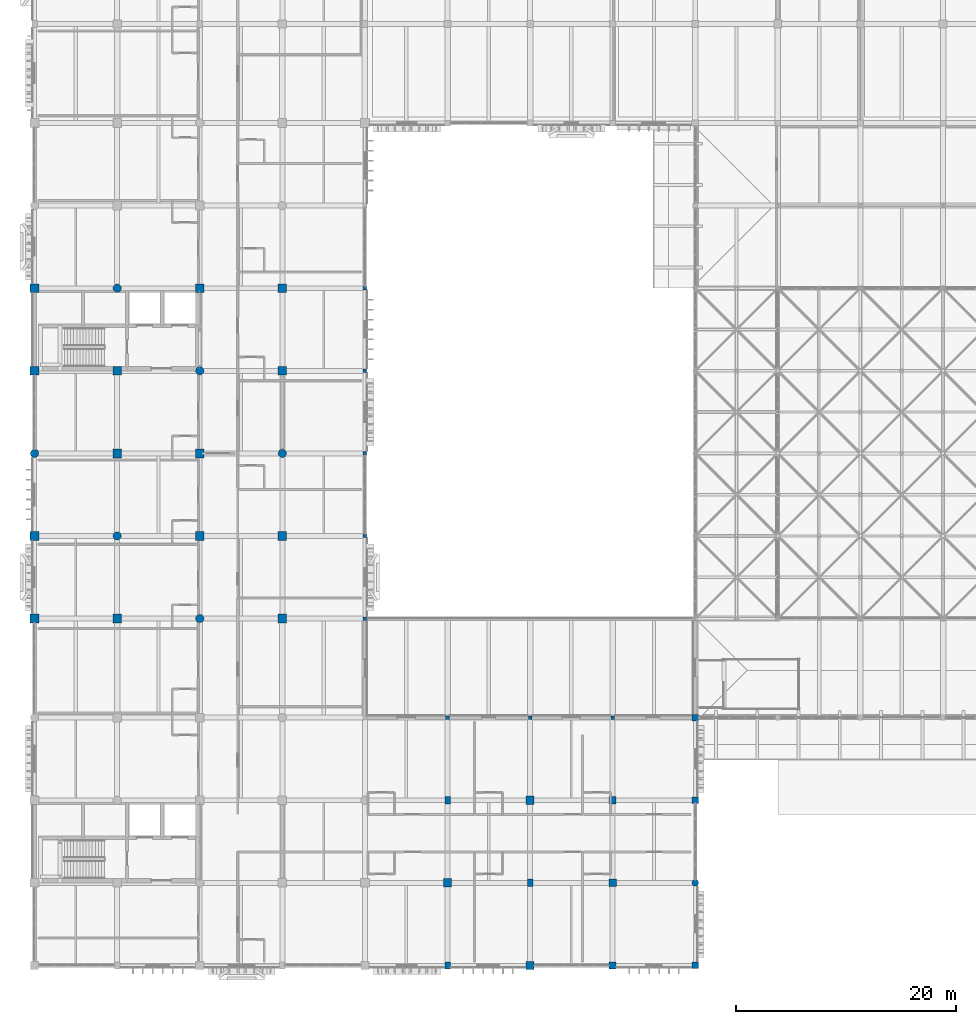
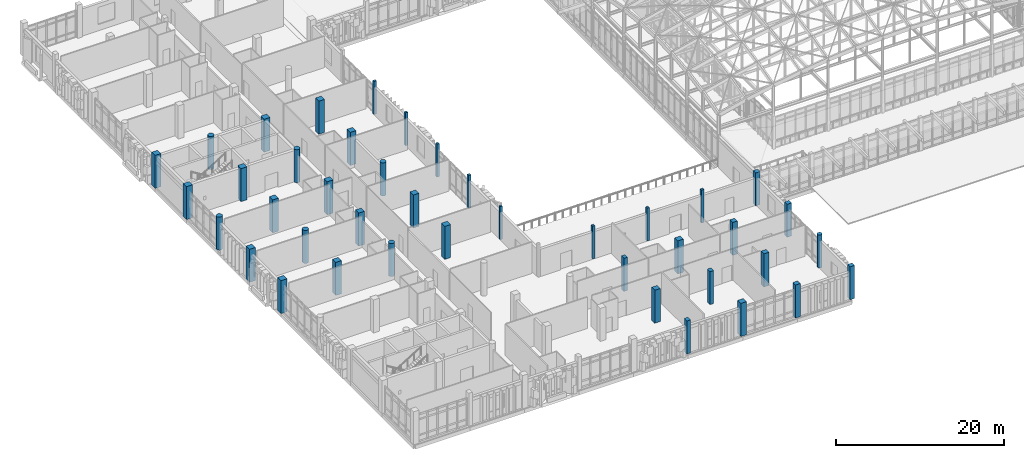
# One storey, part 2 of 131: 41 columns.
"""IFC4 building model written with IfcOpenShell, lengths in metres."""

from ifc_helpers import new_model, si_unit, direction, frame, origin, origin_2d, place, context, subcontext, project, spatial, rectangle, circle, extrude, material, material_profile, profile_set, type_object, element, save


model = new_model("IFC4")

# Units and contexts
model_context = context("Model", 3, precision=1e-05, world=origin(), true_north=direction((0.0, 1.0)))
body_context = subcontext(model_context, "Body", "Model", "MODEL_VIEW")
ifc_project = project(units=[si_unit("LENGTHUNIT", "METRE"), si_unit("AREAUNIT", "SQUARE_METRE"), si_unit("VOLUMEUNIT", "CUBIC_METRE"), si_unit("PLANEANGLEUNIT", "RADIAN"), si_unit("MASSUNIT", "GRAM", prefix="KILO")], contexts=[model_context])

# Site, building, storey
site_placement = place(None, origin())
site = spatial("IfcSite", under=ifc_project, at=site_placement, CompositionType="ELEMENT")
building_placement = place(site_placement, origin())
building = spatial("IfcBuilding", under=site, at=building_placement, Name="Dalvernix Boulevard General Hospital", CompositionType="ELEMENT")
storey_placement = place(building_placement, frame((0.0, 0.0, 9.300048828125)))
storey = spatial("IfcBuildingStorey", under=building, at=storey_placement, Name="L02", CompositionType="ELEMENT", Elevation=9.300048828125)

# Columns
ifc_material_1 = material(Name="Concrete C40/50", Category="concrete")
ifc_material_profile_1 = material_profile(ifc_material_1, rectangle(XDim=0.800048828125, YDim=0.800048828125, at=origin_2d()), Name="RC 800x800")
ifc_profile_set_1 = profile_set([ifc_material_profile_1], Name="Concrete C40/50")
column_type_1 = type_object("IfcColumnType", Name="COL-C-03-E", PredefinedType="COLUMN", material=ifc_profile_set_1)
for number, where, z_axis, x_axis, name in (
    (1, (0.0, 31.5, 0.0), (0.0, 0.0, 1.0), (1.0, 0.0, 0.0), "L02 column 1E"),
    (2, (0.0, 39.0, 0.0), (0.0, 0.0, 1.0), (1.0, 0.0, 0.0), "L02 column 1F"),
    (3, (0.0, 54.0, 0.0), (0.0, 0.0, 1.0), (1.0, 0.0, 0.0), "L02 column 1H"),
    (4, (0.0, 61.5, 0.0), (0.0, 0.0, 1.0), (1.0, 0.0, 0.0), "L02 column 1J"),
):
    element("IfcColumn", number, at=place(storey_placement, frame(where, z_axis=z_axis, x_axis=x_axis)), inside=storey, type_object=column_type_1, Name=name, PredefinedType="COLUMN", context=body_context, shape_type="SweptSolid", body=[
        extrude(rectangle(XDim=0.800048828125, YDim=0.800048828125, at=origin_2d()), origin(), (0.0, 0.0, 1.0), 4.800048828125),
    ])
ifc_material_profile_2 = material_profile(ifc_material_1, rectangle(XDim=0.800048828125, YDim=0.800048828125, at=origin_2d()), Name="RC 800x800")
ifc_profile_set_2 = profile_set([ifc_material_profile_2], Name="Concrete C40/50")
column_type_2 = type_object("IfcColumnType", Name="COL-C-03-I", PredefinedType="COLUMN", material=ifc_profile_set_2)
for number, where, z_axis, x_axis, name in (
    (5, (7.5, 31.5, 0.0), (0.0, 0.0, 1.0), (1.0, 0.0, 0.0), "L02 column 2E"),
    (6, (7.5, 46.5, 0.0), (0.0, 0.0, 1.0), (1.0, 0.0, 0.0), "L02 column 2G"),
    (7, (7.5, 54.0, 0.0), (0.0, 0.0, 1.0), (1.0, 0.0, 0.0), "L02 column 2H"),
    (8, (15.0, 39.0, 0.0), (0.0, 0.0, 1.0), (1.0, 0.0, 0.0), "L02 column 3F"),
    (9, (15.0, 46.5, 0.0), (0.0, 0.0, 1.0), (1.0, 0.0, 0.0), "L02 column 3G"),
    (10, (15.0, 61.5, 0.0), (0.0, 0.0, 1.0), (1.0, 0.0, 0.0), "L02 column 3J"),
    (11, (22.5, 31.5, 0.0), (0.0, 0.0, 1.0), (1.0, 0.0, 0.0), "L02 column 4E"),
    (12, (22.5, 39.0, 0.0), (0.0, 0.0, 1.0), (1.0, 0.0, 0.0), "L02 column 4F"),
    (13, (22.5, 54.0, 0.0), (0.0, 0.0, 1.0), (1.0, 0.0, 0.0), "L02 column 4H"),
    (14, (22.5, 61.5, 0.0), (0.0, 0.0, 1.0), (1.0, 0.0, 0.0), "L02 column 4J"),
):
    element("IfcColumn", number, at=place(storey_placement, frame(where, z_axis=z_axis, x_axis=x_axis)), inside=storey, type_object=column_type_2, Name=name, PredefinedType="COLUMN", context=body_context, shape_type="SweptSolid", body=[
        extrude(rectangle(XDim=0.800048828125, YDim=0.800048828125, at=origin_2d()), origin(), (0.0, 0.0, 1.0), 4.800048828125),
    ])
ifc_material_profile_3 = material_profile(ifc_material_1, rectangle(XDim=0.75, YDim=0.75, at=origin_2d()), Name="RC 750x750")
ifc_profile_set_3 = profile_set([ifc_material_profile_3], Name="Concrete C40/50")
column_type_3 = type_object("IfcColumnType", Name="COL-C-04-E", PredefinedType="COLUMN", material=ifc_profile_set_3)
column_1_placement = place(storey_placement, frame((45.0, 0.0, 0.0), z_axis=(0.0, 0.0, 1.0), x_axis=(1.0, 0.0, 0.0)))
element("IfcColumn", 15, at=column_1_placement, inside=storey, type_object=column_type_3, Name="L02 column 7A", PredefinedType="COLUMN", context=body_context, shape_type="SweptSolid", body=[
    extrude(rectangle(XDim=0.75, YDim=0.75, at=origin_2d()), origin(), (0.0, 0.0, 1.0), 4.800048828125),
])
ifc_material_profile_4 = material_profile(ifc_material_1, rectangle(XDim=0.75, YDim=0.75, at=origin_2d()), Name="RC 750x750")
ifc_profile_set_4 = profile_set([ifc_material_profile_4], Name="Concrete C40/50")
column_type_4 = type_object("IfcColumnType", Name="COL-C-04-I", PredefinedType="COLUMN", material=ifc_profile_set_4)
for number, where, z_axis, x_axis, name in (
    (16, (37.5, 7.5, 0.0), (0.0, 0.0, 1.0), (1.0, 0.0, 0.0), "L02 column 6B"),
    (17, (45.0, 15.0, 0.0), (0.0, 0.0, 1.0), (1.0, 0.0, 0.0), "L02 column 7C"),
):
    element("IfcColumn", number, at=place(storey_placement, frame(where, z_axis=z_axis, x_axis=x_axis)), inside=storey, type_object=column_type_4, Name=name, PredefinedType="COLUMN", context=body_context, shape_type="SweptSolid", body=[
        extrude(rectangle(XDim=0.75, YDim=0.75, at=origin_2d()), origin(), (0.0, 0.0, 1.0), 4.800048828125),
    ])
ifc_material_profile_5 = material_profile(ifc_material_1, rectangle(XDim=0.699951171875, YDim=0.699951171875, at=origin_2d()), Name="RC 700x700")
ifc_profile_set_5 = profile_set([ifc_material_profile_5], Name="Concrete C40/50")
column_type_5 = type_object("IfcColumnType", Name="COL-C-05-I", PredefinedType="COLUMN", material=ifc_profile_set_5)
column_2_placement = place(storey_placement, frame((52.5, 7.5, 0.0), z_axis=(0.0, 0.0, 1.0), x_axis=(1.0, 0.0, 0.0)))
element("IfcColumn", 18, at=column_2_placement, inside=storey, type_object=column_type_5, Name="L02 column 8B", PredefinedType="COLUMN", context=body_context, shape_type="SweptSolid", body=[
    extrude(rectangle(XDim=0.699951171875, YDim=0.699951171875, at=origin_2d()), origin(), (0.0, 0.0, 1.0), 4.800048828125),
])
ifc_material_profile_6 = material_profile(ifc_material_1, rectangle(XDim=0.64990234375, YDim=0.64990234375, at=origin_2d()), Name="RC 650x650")
ifc_profile_set_6 = profile_set([ifc_material_profile_6], Name="Concrete C40/50")
column_type_6 = type_object("IfcColumnType", Name="COL-C-06-E", PredefinedType="COLUMN", material=ifc_profile_set_6)
column_3_placement = place(storey_placement, frame((52.5, 0.0, 0.0), z_axis=(0.0, 0.0, 1.0), x_axis=(1.0, 0.0, 0.0)))
element("IfcColumn", 19, at=column_3_placement, inside=storey, type_object=column_type_6, Name="L02 column 8A", PredefinedType="COLUMN", context=body_context, shape_type="SweptSolid", body=[
    extrude(rectangle(XDim=0.64990234375, YDim=0.64990234375, at=origin_2d()), origin(), (0.0, 0.0, 1.0), 4.800048828125),
])
ifc_material_profile_7 = material_profile(ifc_material_1, rectangle(XDim=0.64990234375, YDim=0.64990234375, at=origin_2d()), Name="RC 650x650")
ifc_profile_set_7 = profile_set([ifc_material_profile_7], Name="Concrete C40/50")
column_type_7 = type_object("IfcColumnType", Name="COL-C-06-I", PredefinedType="COLUMN", material=ifc_profile_set_7)
column_4_placement = place(storey_placement, frame((52.5, 15.0, 0.0), z_axis=(0.0, 0.0, 1.0), x_axis=(1.0, 0.0, 0.0)))
element("IfcColumn", 20, at=column_4_placement, inside=storey, type_object=column_type_7, Name="L02 column 8C", PredefinedType="COLUMN", context=body_context, shape_type="SweptSolid", body=[
    extrude(rectangle(XDim=0.64990234375, YDim=0.64990234375, at=origin_2d()), origin(), (0.0, 0.0, 1.0), 4.800048828125),
])
ifc_material_profile_8 = material_profile(ifc_material_1, rectangle(XDim=0.60009765625, YDim=0.60009765625, at=origin_2d()), Name="RC 600x600")
ifc_profile_set_8 = profile_set([ifc_material_profile_8], Name="Concrete C40/50")
column_type_8 = type_object("IfcColumnType", Name="COL-C-07-E", PredefinedType="COLUMN", material=ifc_profile_set_8)
for number, where, z_axis, x_axis, name in (
    (21, (60.0, 0.0, 0.0), (0.0, 0.0, 1.0), (1.0, 0.0, 0.0), "L02 column 9A"),
    (22, (60.0, 15.0, 0.0), (0.0, 0.0, 1.0), (1.0, 0.0, 0.0), "L02 column 9C"),
    (23, (60.0, 22.5, 0.0), (0.0, 0.0, 1.0), (1.0, 0.0, 0.0), "L02 column 9D"),
):
    element("IfcColumn", number, at=place(storey_placement, frame(where, z_axis=z_axis, x_axis=x_axis)), inside=storey, type_object=column_type_8, Name=name, PredefinedType="COLUMN", context=body_context, shape_type="SweptSolid", body=[
        extrude(rectangle(XDim=0.60009765625, YDim=0.60009765625, at=origin_2d()), origin(), (0.0, 0.0, 1.0), 4.800048828125),
    ])
ifc_material_profile_9 = material_profile(ifc_material_1, rectangle(XDim=0.5, YDim=0.64990234375, at=origin_2d()), Name="RC 500x650")
ifc_profile_set_9 = profile_set([ifc_material_profile_9], Name="Concrete C40/50")
column_type_9 = type_object("IfcColumnType", Name="COL-C-12-E", PredefinedType="COLUMN", material=ifc_profile_set_9)
column_5_placement = place(storey_placement, frame((37.5, 0.0, 0.0), z_axis=(0.0, 0.0, 1.0), x_axis=(1.0, 0.0, 0.0)))
element("IfcColumn", 24, at=column_5_placement, inside=storey, type_object=column_type_9, Name="L02 column 6A", PredefinedType="COLUMN", context=body_context, shape_type="SweptSolid", body=[
    extrude(rectangle(XDim=0.5, YDim=0.64990234375, at=origin_2d()), origin(), (0.0, 0.0, 1.0), 4.800048828125),
])
ifc_material_profile_10 = material_profile(ifc_material_1, rectangle(XDim=0.5, YDim=0.64990234375, at=origin_2d()), Name="RC 500x650")
ifc_profile_set_10 = profile_set([ifc_material_profile_10], Name="Concrete C40/50")
column_type_10 = type_object("IfcColumnType", Name="COL-C-12-I", PredefinedType="COLUMN", material=ifc_profile_set_10)
for number, where, z_axis, x_axis, name in (
    (25, (37.5, 15.0, 0.0), (0.0, 0.0, 1.0), (1.0, 0.0, 0.0), "L02 column 6C"),
    (26, (45.0, 7.5, 0.0), (0.0, 0.0, 1.0), (1.0, 0.0, 0.0), "L02 column 7B"),
):
    element("IfcColumn", number, at=place(storey_placement, frame(where, z_axis=z_axis, x_axis=x_axis)), inside=storey, type_object=column_type_10, Name=name, PredefinedType="COLUMN", context=body_context, shape_type="SweptSolid", body=[
        extrude(rectangle(XDim=0.5, YDim=0.64990234375, at=origin_2d()), origin(), (0.0, 0.0, 1.0), 4.800048828125),
    ])
ifc_material_profile_11 = material_profile(ifc_material_1, circle(Radius=0.375, at=origin_2d()), Name="RC D750")
ifc_profile_set_11 = profile_set([ifc_material_profile_11], Name="Concrete C40/50")
column_type_11 = type_object("IfcColumnType", Name="COL-C-14-E", PredefinedType="COLUMN", material=ifc_profile_set_11)
column_6_placement = place(storey_placement, frame((0.0, 46.5, 0.0), z_axis=(0.0, 0.0, 1.0), x_axis=(1.0, 0.0, 0.0)))
element("IfcColumn", 27, at=column_6_placement, inside=storey, type_object=column_type_11, Name="L02 column 1G", PredefinedType="COLUMN", context=body_context, shape_type="SweptSolid", body=[
    extrude(circle(Radius=0.375, at=origin_2d()), origin(), (0.0, 0.0, 1.0), 4.800048828125),
])
ifc_material_profile_12 = material_profile(ifc_material_1, circle(Radius=0.375, at=origin_2d()), Name="RC D750")
ifc_profile_set_12 = profile_set([ifc_material_profile_12], Name="Concrete C40/50")
column_type_12 = type_object("IfcColumnType", Name="COL-C-14-I", PredefinedType="COLUMN", material=ifc_profile_set_12)
for number, where, z_axis, x_axis, name in (
    (28, (7.5, 39.0, 0.0), (0.0, 0.0, 1.0), (1.0, 0.0, 0.0), "L02 column 2F"),
    (29, (7.5, 61.5, 0.0), (0.0, 0.0, 1.0), (1.0, 0.0, 0.0), "L02 column 2J"),
    (30, (15.0, 31.5, 0.0), (0.0, 0.0, 1.0), (1.0, 0.0, 0.0), "L02 column 3E"),
    (31, (15.0, 54.0, 0.0), (0.0, 0.0, 1.0), (1.0, 0.0, 0.0), "L02 column 3H"),
    (32, (22.5, 46.5, 0.0), (0.0, 0.0, 1.0), (1.0, 0.0, 0.0), "L02 column 4G"),
):
    element("IfcColumn", number, at=place(storey_placement, frame(where, z_axis=z_axis, x_axis=x_axis)), inside=storey, type_object=column_type_12, Name=name, PredefinedType="COLUMN", context=body_context, shape_type="SweptSolid", body=[
        extrude(circle(Radius=0.375, at=origin_2d()), origin(), (0.0, 0.0, 1.0), 4.800048828125),
    ])
ifc_material_profile_13 = material_profile(ifc_material_1, circle(Radius=0.300048828125, at=origin_2d()), Name="RC D600")
ifc_profile_set_13 = profile_set([ifc_material_profile_13], Name="Concrete C40/50")
column_type_13 = type_object("IfcColumnType", Name="COL-C-15-E", PredefinedType="COLUMN", material=ifc_profile_set_13)
column_7_placement = place(storey_placement, frame((60.0, 7.5, 0.0), z_axis=(0.0, 0.0, 1.0), x_axis=(1.0, 0.0, 0.0)))
element("IfcColumn", 33, at=column_7_placement, inside=storey, type_object=column_type_13, Name="L02 column 9B", PredefinedType="COLUMN", context=body_context, shape_type="SweptSolid", body=[
    extrude(circle(Radius=0.300048828125, at=origin_2d()), origin(), (0.0, 0.0, 1.0), 4.800048828125),
])
ifc_material_2 = material(Name="Glulam GL28h", Category="wood")
ifc_material_profile_14 = material_profile(ifc_material_2, rectangle(XDim=0.320068359375, YDim=0.320068359375, at=origin_2d()), Name="GL28h 320x320")
ifc_profile_set_14 = profile_set([ifc_material_profile_14], Name="Glulam GL28h")
column_type_14 = type_object("IfcColumnType", Name="COL-C-20-E", PredefinedType="COLUMN", material=ifc_profile_set_14)
for number, where, z_axis, x_axis, name in (
    (34, (30.0, 31.5, 0.0), (0.0, 0.0, 1.0), (1.0, 0.0, 0.0), "L02 column 5E"),
    (35, (30.0, 39.0, 0.0), (0.0, 0.0, 1.0), (1.0, 0.0, 0.0), "L02 column 5F"),
    (36, (30.0, 46.5, 0.0), (0.0, 0.0, 1.0), (1.0, 0.0, 0.0), "L02 column 5G"),
    (37, (30.0, 54.0, 0.0), (0.0, 0.0, 1.0), (1.0, 0.0, 0.0), "L02 column 5H"),
    (38, (30.0, 61.5, 0.0), (0.0, 0.0, 1.0), (1.0, 0.0, 0.0), "L02 column 5J"),
    (39, (37.5, 22.5, 0.0), (0.0, 0.0, 1.0), (1.0, 0.0, 0.0), "L02 column 6D"),
    (40, (45.0, 22.5, 0.0), (0.0, 0.0, 1.0), (1.0, 0.0, 0.0), "L02 column 7D"),
    (41, (52.5, 22.5, 0.0), (0.0, 0.0, 1.0), (1.0, 0.0, 0.0), "L02 column 8D"),
):
    element("IfcColumn", number, at=place(storey_placement, frame(where, z_axis=z_axis, x_axis=x_axis)), inside=storey, type_object=column_type_14, Name=name, PredefinedType="COLUMN", context=body_context, shape_type="SweptSolid", body=[
        extrude(rectangle(XDim=0.320068359375, YDim=0.320068359375, at=origin_2d()), origin(), (0.0, 0.0, 1.0), 4.800048828125),
    ])

save(model, "model.ifc")
